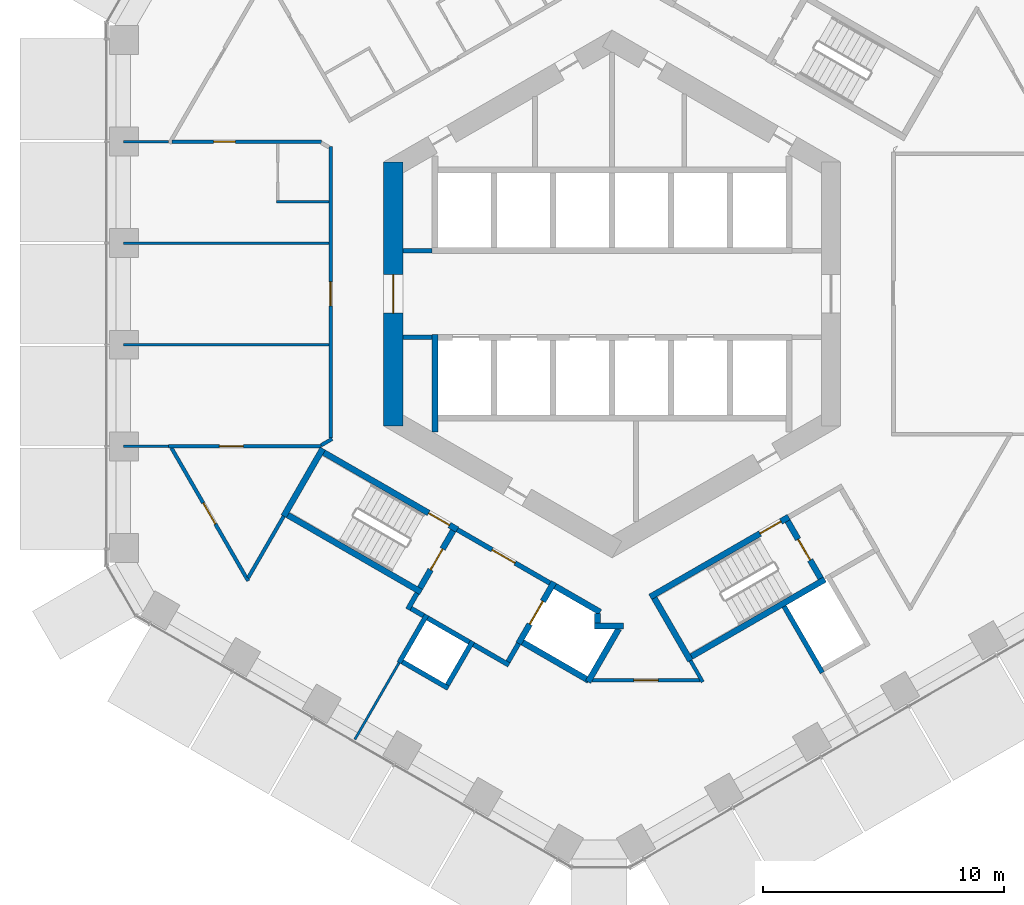
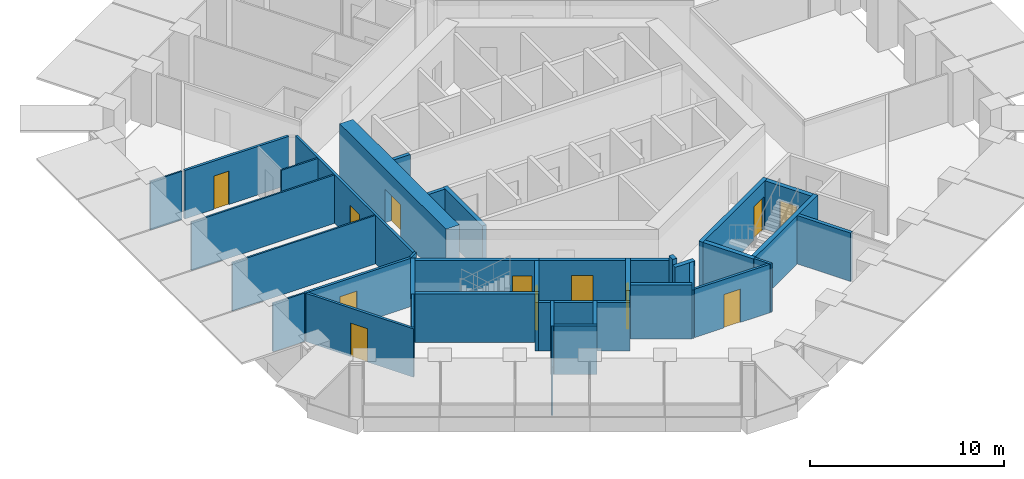
# One storey, part 12 of 19: 42 walls, 12 doors, 12 openings.
"""IFC4 building model written with IfcOpenShell, lengths in metres."""

from ifc_helpers import new_model, si_unit, direction, frame, frame_2d, origin, place, context, subcontext, project, spatial, rectangle, extrude, material, layer, layer_set, type_object, element, fill, save


model = new_model("IFC4")

# Units and contexts
model_context = context("Model", 3, precision=1e-05, world=origin(), true_north=direction((0.0, 1.0)))
body_context = subcontext(model_context, "Body", "Model", "MODEL_VIEW")
ifc_project = project(units=[si_unit("LENGTHUNIT", "METRE"), si_unit("AREAUNIT", "SQUARE_METRE"), si_unit("VOLUMEUNIT", "CUBIC_METRE"), si_unit("PLANEANGLEUNIT", "RADIAN"), si_unit("MASSUNIT", "GRAM", prefix="KILO")], contexts=[model_context])

# Site, building, storey
site_placement = place(None, origin())
site = spatial("IfcSite", under=ifc_project, at=site_placement, CompositionType="ELEMENT")
building_placement = place(site_placement, origin())
building = spatial("IfcBuilding", under=site, at=building_placement, Name="Ayvan Gate Tower", CompositionType="ELEMENT")
storey_placement = place(building_placement, frame((0.0, 0.0, 52.699951171875)))
storey = spatial("IfcBuildingStorey", under=building, at=storey_placement, Name="L13", CompositionType="ELEMENT", Elevation=52.699951171875)

# Wall, opening, door
ifc_material_1 = material(Name="Concrete C70/85", Category="concrete")
ifc_layer_1 = layer(ifc_material_1, 0.800048828125)
ifc_layer_set_1 = layer_set([ifc_layer_1], Name="Concrete C70/85")
wall_type_1 = type_object("IfcWallType", Name="Core wall 800 C70/85", PredefinedType="SHEAR", material=ifc_layer_set_1)
wall_1_placement = place(storey_placement, frame((-9.10009765625, 5.48486328125, 0.0), z_axis=(0.0, 0.0, 1.0), x_axis=(0.0, -1.0, 0.0)))
wall_1 = element("IfcWall", 1, at=wall_1_placement, inside=storey, type_object=wall_type_1, Name="CORE-L13-3", PredefinedType="SHEAR", context=body_context, shape_type="SweptSolid", body=[
    extrude(rectangle(XDim=10.9697265625, YDim=0.800048828125, at=frame_2d((5.48486328125, 0.0))), origin(), (0.0, 0.0, 1.0), 3.400146484375),
])
opening_1_placement = place(wall_1_placement, frame((4.684814453125, 0.0, 0.0)))
opening_1 = element("IfcOpeningElement", 2, at=opening_1_placement, cuts=wall_1, Name="Opening L13-D41", PredefinedType="OPENING", context=body_context, shape_type="SweptSolid", body=[
    extrude(rectangle(XDim=1.60009765625, YDim=2.10009765625, at=frame_2d((0.800048828125, 1.050048828125))), frame((0.0, 0.409912109375, 0.0), z_axis=(0.0, -1.0, 0.0), x_axis=(1.0, 0.0, 0.0)), (0.0, 0.0, 1.0), 0.820068359375),
])
ifc_material_2 = material(Name="Timber door leaf", Category="wood")
door_type_1 = type_object("IfcDoorType", Name="DT-1600", OperationType="NOTDEFINED", PredefinedType="DOOR", material=ifc_material_2)
door_1_placement = place(opening_1_placement, origin())
door_1 = element("IfcDoor", 3, at=door_1_placement, inside=storey, type_object=door_type_1, Name="CD-L13-41", OperationType="SINGLE_SWING_RIGHT", OverallHeight=2.10009765625, OverallWidth=1.60009765625, PredefinedType="DOOR", context=body_context, shape_type="SweptSolid", body=[
    extrude(rectangle(XDim=1.60009765625, YDim=2.10009765625, at=frame_2d((0.800048828125, 1.050048828125))), frame((0.0, 0.02490234375, 0.0), z_axis=(0.0, -1.0, 0.0), x_axis=(1.0, 0.0, 0.0)), (0.0, 0.0, 1.0), 0.050048828125),
])
fill(opening_1, door_1)

ifc_material_3 = material(Name="Plasterboard on steel stud", Category="steel")
ifc_layer_2 = layer(ifc_material_3, 0.14990234375)
ifc_layer_set_2 = layer_set([ifc_layer_2], Name="Plasterboard on steel stud")
wall_type_2 = type_object("IfcWallType", Name="WT-CORR-150", PredefinedType="PARTITIONING", material=ifc_layer_set_2)
wall_2_placement = place(storey_placement, frame((-18.433837890625, -6.3251953125, 0.0), z_axis=(0.0, 0.0, 1.0), x_axis=(1.0, 0.0, 0.0)))
wall_2 = element("IfcWall", 4, at=wall_2_placement, inside=storey, type_object=wall_type_2, Name="IW-L13-000", PredefinedType="PARTITIONING", context=body_context, shape_type="SweptSolid", body=[
    extrude(rectangle(XDim=6.353271484375, YDim=0.14990234375, at=frame_2d((3.1767578125, 0.0))), origin(), (0.0, 0.0, 1.0), 3.050048828125),
])
opening_2_placement = place(wall_2_placement, frame((2.106689453125, 0.0, 0.0)))
opening_2 = element("IfcOpeningElement", 5, at=opening_2_placement, cuts=wall_2, Name="Opening L13-D24", PredefinedType="OPENING", context=body_context, shape_type="SweptSolid", body=[
    extrude(rectangle(XDim=1.0, YDim=2.10009765625, at=frame_2d((0.5, 1.050048828125))), frame((0.0, 0.0849609375, 0.0), z_axis=(0.0, -1.0, 0.0), x_axis=(1.0, 0.0, 0.0)), (0.0, 0.0, 1.0), 0.169921875),
])
door_type_2 = type_object("IfcDoorType", Name="DT-1000", OperationType="NOTDEFINED", PredefinedType="DOOR", material=ifc_material_2)
door_2_placement = place(opening_2_placement, origin())
door_2 = element("IfcDoor", 6, at=door_2_placement, inside=storey, type_object=door_type_2, Name="ID-L13-024", OperationType="SINGLE_SWING_LEFT", OverallHeight=2.10009765625, OverallWidth=1.0, PredefinedType="DOOR", context=body_context, shape_type="SweptSolid", body=[
    extrude(rectangle(XDim=1.0, YDim=2.10009765625, at=frame_2d((0.5, 1.050048828125))), frame((0.0, 0.02490234375, 0.0), z_axis=(0.0, -1.0, 0.0), x_axis=(1.0, 0.0, 0.0)), (0.0, 0.0, 1.0), 0.050048828125),
])
fill(opening_2, door_2)

wall_3_placement = place(storey_placement, frame((-15.124755859375, -11.9267578125, 0.0), z_axis=(0.0, 0.0, 1.0), x_axis=(-0.499995720892, 0.866027874314, 0.0)))
wall_3 = element("IfcWall", 7, at=wall_3_placement, inside=storey, type_object=wall_type_2, Name="IW-L13-005", PredefinedType="PARTITIONING", context=body_context, shape_type="SweptSolid", body=[
    extrude(rectangle(XDim=6.39306640625, YDim=0.14990234375, at=frame_2d((3.196533203125, 0.0))), origin(), (0.0, 0.0, 1.0), 3.050048828125),
])
opening_3_placement = place(wall_3_placement, frame((2.73388671875, 0.0, 0.0)))
opening_3 = element("IfcOpeningElement", 8, at=opening_3_placement, cuts=wall_3, Name="Opening L13-D25", PredefinedType="OPENING", context=body_context, shape_type="SweptSolid", body=[
    extrude(rectangle(XDim=1.0, YDim=2.10009765625, at=frame_2d((0.5, 1.050048828125))), frame((0.0, 0.0849609375, 0.0), z_axis=(0.0, -1.0, 0.0), x_axis=(1.0, 0.0, 0.0)), (0.0, 0.0, 1.0), 0.169921875),
])
door_3_placement = place(opening_3_placement, origin())
door_3 = element("IfcDoor", 9, at=door_3_placement, inside=storey, type_object=door_type_2, Name="ID-L13-025", OperationType="SINGLE_SWING_RIGHT", OverallHeight=2.10009765625, OverallWidth=1.0, PredefinedType="DOOR", context=body_context, shape_type="SweptSolid", body=[
    extrude(rectangle(XDim=1.0, YDim=2.10009765625, at=frame_2d((0.5, 1.050048828125))), frame((0.0, 0.02490234375, 0.0), z_axis=(0.0, -1.0, 0.0), x_axis=(1.0, 0.0, 0.0)), (0.0, 0.0, 1.0), 0.050048828125),
])
fill(opening_3, door_3)

wall_4_placement = place(storey_placement, frame((-18.28369140625, 6.3251953125, 0.0), z_axis=(0.0, 0.0, 1.0), x_axis=(1.0, 0.0, 0.0)))
wall_4 = element("IfcWall", 10, at=wall_4_placement, inside=storey, type_object=wall_type_2, Name="IW-L13-009", PredefinedType="PARTITIONING", context=body_context, shape_type="SweptSolid", body=[
    extrude(rectangle(XDim=6.203125, YDim=0.14990234375, at=frame_2d((3.1015625, 0.0))), origin(), (0.0, 0.0, 1.0), 3.050048828125),
])
opening_4_placement = place(wall_4_placement, frame((1.726806640625, 0.0, 0.0)))
opening_4 = element("IfcOpeningElement", 11, at=opening_4_placement, cuts=wall_4, Name="Opening L13-D21", PredefinedType="OPENING", context=body_context, shape_type="SweptSolid", body=[
    extrude(rectangle(XDim=0.89990234375, YDim=2.10009765625, at=frame_2d((0.449951171875, 1.050048828125))), frame((0.0, 0.0849609375, 0.0), z_axis=(0.0, -1.0, 0.0), x_axis=(1.0, 0.0, 0.0)), (0.0, 0.0, 1.0), 0.169921875),
])
door_type_3 = type_object("IfcDoorType", Name="DT-900", OperationType="NOTDEFINED", PredefinedType="DOOR", material=ifc_material_2)
door_4_placement = place(opening_4_placement, origin())
door_4 = element("IfcDoor", 12, at=door_4_placement, inside=storey, type_object=door_type_3, Name="ID-L13-021", OperationType="SINGLE_SWING_RIGHT", OverallHeight=2.10009765625, OverallWidth=0.89990234375, PredefinedType="DOOR", context=body_context, shape_type="SweptSolid", body=[
    extrude(rectangle(XDim=0.89990234375, YDim=2.10009765625, at=frame_2d((0.449951171875, 1.050048828125))), frame((0.0, 0.02490234375, 0.0), z_axis=(0.0, -1.0, 0.0), x_axis=(1.0, 0.0, 0.0)), (0.0, 0.0, 1.0), 0.050048828125),
])
fill(opening_4, door_4)

# Walls
wall_5_placement = place(storey_placement, frame((-13.647705078125, -9.23876953125, 0.0), z_axis=(0.0, 0.0, 1.0), x_axis=(-0.500032473623, -0.866006654318, 0.0)))
element("IfcWall", 13, at=wall_5_placement, inside=storey, type_object=wall_type_2, Name="IW-L13-011", PredefinedType="PARTITIONING", context=body_context, shape_type="SweptSolid", body=[
    extrude(rectangle(XDim=2.953857421875, YDim=0.14990234375, at=frame_2d((1.47705078125, 0.0))), origin(), (0.0, 0.0, 1.0), 3.050048828125),
])
wall_6_placement = place(storey_placement, frame((-12.0908203125, -6.28759765625, 0.0), z_axis=(0.0, 0.0, 1.0), x_axis=(0.866208757248, 0.499682287925, 0.0)))
element("IfcWall", 14, at=wall_6_placement, inside=storey, type_object=wall_type_2, Name="IW-L13-012", PredefinedType="PARTITIONING", context=body_context, shape_type="SweptSolid", body=[
    extrude(rectangle(XDim=0.526123046875, YDim=0.14990234375, at=frame_2d((0.26318359375, 0.0))), origin(), (0.0, 0.0, 1.0), 3.050048828125),
])

# Wall, opening, door
wall_7_placement = place(storey_placement, frame((-11.699951171875, 6.13720703125, 0.0), z_axis=(0.0, 0.0, 1.0), x_axis=(0.0, -1.0, 0.0)))
wall_7 = element("IfcWall", 15, at=wall_7_placement, inside=storey, type_object=wall_type_2, Name="IW-L13-015", PredefinedType="PARTITIONING", context=body_context, shape_type="SweptSolid", body=[
    extrude(rectangle(XDim=12.12451171875, YDim=0.14990234375, at=frame_2d((6.062255859375, 0.0))), origin(), (0.0, 0.0, 1.0), 3.050048828125),
])
opening_5_placement = place(wall_7_placement, frame((5.63720703125, 0.0, 0.0)))
opening_5 = element("IfcOpeningElement", 16, at=opening_5_placement, cuts=wall_7, Name="Opening L13-D23", PredefinedType="OPENING", context=body_context, shape_type="SweptSolid", body=[
    extrude(rectangle(XDim=1.0, YDim=2.10009765625, at=frame_2d((0.5, 1.050048828125))), frame((0.0, 0.0849609375, 0.0), z_axis=(0.0, -1.0, 0.0), x_axis=(1.0, 0.0, 0.0)), (0.0, 0.0, 1.0), 0.169921875),
])
door_5_placement = place(opening_5_placement, origin())
door_5 = element("IfcDoor", 17, at=door_5_placement, inside=storey, type_object=door_type_2, Name="ID-L13-023", OperationType="SINGLE_SWING_RIGHT", OverallHeight=2.10009765625, OverallWidth=1.0, PredefinedType="DOOR", context=body_context, shape_type="SweptSolid", body=[
    extrude(rectangle(XDim=1.0, YDim=2.10009765625, at=frame_2d((0.5, 1.050048828125))), frame((0.0, 0.02490234375, 0.0), z_axis=(0.0, -1.0, 0.0), x_axis=(1.0, 0.0, 0.0)), (0.0, 0.0, 1.0), 0.050048828125),
])
fill(opening_5, door_5)

# Wall
wall_8_placement = place(storey_placement, frame((3.255615234375, -15.23876953125, 0.0), z_axis=(0.0, 0.0, 1.0), x_axis=(0.50003162148, -0.866007146345, 0.0)))
element("IfcWall", 18, at=wall_8_placement, inside=storey, type_object=wall_type_2, Name="IW-L13-076", PredefinedType="PARTITIONING", context=body_context, shape_type="SweptSolid", body=[
    extrude(rectangle(XDim=1.025390625, YDim=0.14990234375, at=frame_2d((0.5126953125, 0.0))), origin(), (0.0, 0.0, 1.0), 3.050048828125),
])

# Wall, opening, door
wall_9_placement = place(storey_placement, frame((3.65576171875, -16.061767578125, 0.0), z_axis=(0.0, 0.0, 1.0), x_axis=(-1.0, 0.0, 0.0)))
wall_9 = element("IfcWall", 19, at=wall_9_placement, inside=storey, type_object=wall_type_2, Name="IW-L13-078", PredefinedType="PARTITIONING", context=body_context, shape_type="SweptSolid", body=[
    extrude(rectangle(XDim=4.490234375, YDim=0.14990234375, at=frame_2d((2.2451171875, 0.0))), origin(), (0.0, 0.0, 1.0), 3.050048828125),
])
opening_6_placement = place(wall_9_placement, frame((1.7451171875, 0.0, 0.0)))
opening_6 = element("IfcOpeningElement", 20, at=opening_6_placement, cuts=wall_9, Name="Opening L13-D26", PredefinedType="OPENING", context=body_context, shape_type="SweptSolid", body=[
    extrude(rectangle(XDim=1.0, YDim=2.10009765625, at=frame_2d((0.5, 1.050048828125))), frame((0.0, 0.0849609375, 0.0), z_axis=(0.0, -1.0, 0.0), x_axis=(1.0, 0.0, 0.0)), (0.0, 0.0, 1.0), 0.169921875),
])
door_6_placement = place(opening_6_placement, origin())
door_6 = element("IfcDoor", 21, at=door_6_placement, inside=storey, type_object=door_type_2, Name="ID-L13-026", OperationType="SINGLE_SWING_LEFT", OverallHeight=2.10009765625, OverallWidth=1.0, PredefinedType="DOOR", context=body_context, shape_type="SweptSolid", body=[
    extrude(rectangle(XDim=1.0, YDim=2.10009765625, at=frame_2d((0.5, 1.050048828125))), frame((0.0, 0.02490234375, 0.0), z_axis=(0.0, -1.0, 0.0), x_axis=(1.0, 0.0, 0.0)), (0.0, 0.0, 1.0), 0.050048828125),
])
fill(opening_6, door_6)

# Walls
ifc_layer_3 = layer(ifc_material_3, 0.10009765625)
ifc_layer_set_3 = layer_set([ifc_layer_3], Name="Plasterboard on steel stud")
wall_type_3 = type_object("IfcWallType", Name="WT-PART-100", PredefinedType="PARTITIONING", material=ifc_layer_set_3)
wall_10_placement = place(storey_placement, frame((-18.433837890625, 6.3251953125, 0.0), z_axis=(0.0, 0.0, 1.0), x_axis=(-1.0, 0.0, 0.0)))
element("IfcWall", 22, at=wall_10_placement, inside=storey, type_object=wall_type_3, Name="IW-L13-001", PredefinedType="PARTITIONING", context=body_context, shape_type="SweptSolid", body=[
    extrude(rectangle(XDim=1.8759765625, YDim=0.10009765625, at=frame_2d((0.93798828125, 0.0))), origin(), (0.0, 0.0, 1.0), 3.050048828125),
])
wall_11_placement = place(storey_placement, frame((-18.43359375, -6.3251953125, 0.0), z_axis=(0.0, 0.0, 1.0), x_axis=(-1.0, 0.0, 0.0)))
element("IfcWall", 23, at=wall_11_placement, inside=storey, type_object=wall_type_3, Name="IW-L13-003", PredefinedType="PARTITIONING", context=body_context, shape_type="SweptSolid", body=[
    extrude(rectangle(XDim=1.876220703125, YDim=0.10009765625, at=frame_2d((0.93798828125, 0.0))), origin(), (0.0, 0.0, 1.0), 3.050048828125),
])
wall_12_placement = place(storey_placement, frame((-13.949951171875, 3.8251953125, 0.0), z_axis=(0.0, 0.0, 1.0), x_axis=(1.0, 0.0, 0.0)))
element("IfcWall", 24, at=wall_12_placement, inside=storey, type_object=wall_type_3, Name="IW-L13-007", PredefinedType="PARTITIONING", context=body_context, shape_type="SweptSolid", body=[
    extrude(rectangle(XDim=2.175048828125, YDim=0.10009765625, at=frame_2d((1.08740234375, 0.0))), origin(), (0.0, 0.0, 1.0), 3.050048828125),
])
for number, where, z_axis, x_axis, name in (
    (25, (-11.77490234375, -2.1083984375, 0.0), (0.0, 0.0, 1.0), (-1.0, 0.0, 0.0), "IW-L13-014"),
    (26, (-11.77490234375, 2.1083984375, 0.0), (0.0, 0.0, 1.0), (-1.0, 0.0, 0.0), "IW-L13-016"),
):
    element("IfcWall", number, at=place(storey_placement, frame(where, z_axis=z_axis, x_axis=x_axis)), inside=storey, type_object=wall_type_3, Name=name, PredefinedType="PARTITIONING", context=body_context, shape_type="SweptSolid", body=[
        extrude(rectangle(XDim=8.534912109375, YDim=0.10009765625, at=frame_2d((4.267578125, 0.0))), origin(), (0.0, 0.0, 1.0), 3.050048828125),
    ])
wall_13_placement = place(storey_placement, frame((-8.85009765625, -15.32861328125, 0.0), z_axis=(0.0, 0.0, 1.0), x_axis=(-0.499955964762, -0.866050826049, 0.0)))
element("IfcWall", 27, at=wall_13_placement, inside=storey, type_object=wall_type_3, Name="IW-L13-022", PredefinedType="PARTITIONING", context=body_context, shape_type="SweptSolid", body=[
    extrude(rectangle(XDim=3.680419921875, YDim=0.10009765625, at=frame_2d((1.84033203125, 0.0))), origin(), (0.0, 0.0, 1.0), 3.050048828125),
])
ifc_layer_4 = layer(ifc_material_3, 0.199951171875)
ifc_layer_set_4 = layer_set([ifc_layer_4], Name="Plasterboard on steel stud")
wall_type_4 = type_object("IfcWallType", Name="WT-PLUMB-200", PredefinedType="PLUMBINGWALL", material=ifc_layer_set_4)
wall_14_placement = place(storey_placement, frame((-8.85009765625, -15.32861328125, 0.0), z_axis=(0.0, 0.0, 1.0), x_axis=(0.500077740698, 0.865980515519, 0.0)))
element("IfcWall", 28, at=wall_14_placement, inside=storey, type_object=wall_type_4, Name="IW-L13-021", PredefinedType="PLUMBINGWALL", context=body_context, shape_type="SweptSolid", body=[
    extrude(rectangle(XDim=2.300048828125, YDim=0.199951171875, at=frame_2d((1.14990234375, 0.0))), origin(), (0.0, 0.0, 1.0), 3.050048828125),
])
wall_15_placement = place(storey_placement, frame((-6.80810546875, -16.39208984375, 0.0), z_axis=(0.0, 0.0, 1.0), x_axis=(-0.866008176907, 0.50002983664, 0.0)))
element("IfcWall", 29, at=wall_15_placement, inside=storey, type_object=wall_type_4, Name="IW-L13-034", PredefinedType="PLUMBINGWALL", context=body_context, shape_type="SweptSolid", body=[
    extrude(rectangle(XDim=2.199951171875, YDim=0.199951171875, at=frame_2d((1.10009765625, 0.0))), origin(), (0.0, 0.0, 1.0), 3.050048828125),
])
wall_16_placement = place(storey_placement, frame((-5.794677734375, -14.436767578125, 0.0), z_axis=(0.0, 0.0, 1.0), x_axis=(-0.500027713859, -0.866009402589, 0.0)))
element("IfcWall", 30, at=wall_16_placement, inside=storey, type_object=wall_type_4, Name="IW-L13-037", PredefinedType="PLUMBINGWALL", context=body_context, shape_type="SweptSolid", body=[
    extrude(rectangle(XDim=2.10009765625, YDim=0.199951171875, at=frame_2d((1.050048828125, 0.0))), origin(), (0.0, 0.0, 1.0), 3.050048828125),
])
wall_17_placement = place(storey_placement, frame((-5.931396484375, -14.473388671875, 0.0), z_axis=(0.0, 0.0, 1.0), x_axis=(-0.866041268327, 0.499972520799, 0.0)))
element("IfcWall", 31, at=wall_17_placement, inside=storey, type_object=wall_type_4, Name="IW-L13-038", PredefinedType="PLUMBINGWALL", context=body_context, shape_type="SweptSolid", body=[
    extrude(rectangle(XDim=2.0, YDim=0.199951171875, at=frame_2d((1.0, 0.0))), origin(), (0.0, 0.0, 1.0), 3.050048828125),
])
wall_18_placement = place(storey_placement, frame((8.740234375, -15.738525390625, 0.0), z_axis=(0.0, 0.0, 1.0), x_axis=(-0.500017526161, 0.866015284814, 0.0)))
element("IfcWall", 32, at=wall_18_placement, inside=storey, type_object=wall_type_4, Name="IW-L13-095", PredefinedType="PLUMBINGWALL", context=body_context, shape_type="SweptSolid", body=[
    extrude(rectangle(XDim=3.17529296875, YDim=0.199951171875, at=frame_2d((1.587646484375, 0.0))), origin(), (0.0, 0.0, 1.0), 3.050048828125),
])
ifc_layer_5 = layer(ifc_material_3, 0.199951171875)
ifc_layer_set_5 = layer_set([ifc_layer_5], Name="Plasterboard on steel stud")
wall_type_5 = type_object("IfcWallType", Name="WT-RATED-200", PredefinedType="PARTITIONING", material=ifc_layer_set_5)
wall_19_placement = place(storey_placement, frame((-8.699951171875, 1.800048828125, 0.0), z_axis=(0.0, 0.0, 1.0), x_axis=(1.0, 0.0, 0.0)))
element("IfcWall", 33, at=wall_19_placement, inside=storey, type_object=wall_type_5, Name="IW-L13-023", PredefinedType="PARTITIONING", context=body_context, shape_type="SweptSolid", body=[
    extrude(rectangle(XDim=1.22509765625, YDim=0.199951171875, at=frame_2d((0.612548828125, 0.0))), origin(), (0.0, 0.0, 1.0), 3.050048828125),
])
wall_20_placement = place(storey_placement, frame((-8.492919921875, -13.110107421875, 0.0), z_axis=(0.0, 0.0, 1.0), x_axis=(0.500067724834, 0.865986299303, 0.0)))
element("IfcWall", 34, at=wall_20_placement, inside=storey, type_object=wall_type_5, Name="IW-L13-024", PredefinedType="PARTITIONING", context=body_context, shape_type="SweptSolid", body=[
    extrude(rectangle(XDim=0.775390625, YDim=0.199951171875, at=frame_2d((0.3876953125, 0.0))), origin(), (0.0, 0.0, 1.0), 3.050048828125),
])
wall_21_placement = place(storey_placement, frame((-7.83642578125, -13.373291015625, 0.0), z_axis=(0.0, 0.0, 1.0), x_axis=(-0.866232998003, 0.499640263761, 0.0)))
element("IfcWall", 35, at=wall_21_placement, inside=storey, type_object=wall_type_5, Name="IW-L13-026", PredefinedType="PARTITIONING", context=body_context, shape_type="SweptSolid", body=[
    extrude(rectangle(XDim=0.60009765625, YDim=0.199951171875, at=frame_2d((0.300048828125, 0.0))), origin(), (0.0, 0.0, 1.0), 3.050048828125),
])
wall_22_placement = place(storey_placement, frame((-7.474853515625, -1.800048828125, 0.0), z_axis=(0.0, 0.0, 1.0), x_axis=(-1.0, 0.0, 0.0)))
element("IfcWall", 36, at=wall_22_placement, inside=storey, type_object=wall_type_5, Name="IW-L13-032", PredefinedType="PARTITIONING", context=body_context, shape_type="SweptSolid", body=[
    extrude(rectangle(XDim=1.22509765625, YDim=0.199951171875, at=frame_2d((0.612548828125, 0.0))), origin(), (0.0, 0.0, 1.0), 3.050048828125),
])

# Wall, opening, door
wall_23_placement = place(storey_placement, frame((-6.4345703125, -9.794921875, 0.0), z_axis=(0.0, 0.0, 1.0), x_axis=(0.866012907634, -0.500021643343, 0.0)))
wall_23 = element("IfcWall", 37, at=wall_23_placement, inside=storey, type_object=wall_type_5, Name="IW-L13-036", PredefinedType="PARTITIONING", context=body_context, shape_type="SweptSolid", body=[
    extrude(rectangle(XDim=4.449951171875, YDim=0.199951171875, at=frame_2d((2.22509765625, 0.0))), origin(), (0.0, 0.0, 1.0), 3.050048828125),
])
opening_7_placement = place(wall_23_placement, frame((1.675048828125, 0.0, 0.0)))
opening_7 = element("IfcOpeningElement", 38, at=opening_7_placement, cuts=wall_23, Name="Opening L13-D12", PredefinedType="OPENING", context=body_context, shape_type="SweptSolid", body=[
    extrude(rectangle(XDim=1.10009765625, YDim=2.10009765625, at=frame_2d((0.550048828125, 1.050048828125))), frame((0.0, 0.10986328125, 0.0), z_axis=(0.0, -1.0, 0.0), x_axis=(1.0, 0.0, 0.0)), (0.0, 0.0, 1.0), 0.219970703125),
])
door_type_4 = type_object("IfcDoorType", Name="DT-1100", OperationType="NOTDEFINED", PredefinedType="DOOR", material=ifc_material_2)
door_7_placement = place(opening_7_placement, origin())
door_7 = element("IfcDoor", 39, at=door_7_placement, inside=storey, type_object=door_type_4, Name="ID-L13-012", OperationType="SINGLE_SWING_LEFT", OverallHeight=2.10009765625, OverallWidth=1.10009765625, PredefinedType="DOOR", context=body_context, shape_type="SweptSolid", body=[
    extrude(rectangle(XDim=1.10009765625, YDim=2.10009765625, at=frame_2d((0.550048828125, 1.050048828125))), frame((0.0, 0.02490234375, 0.0), z_axis=(0.0, -1.0, 0.0), x_axis=(1.0, 0.0, 0.0)), (0.0, 0.0, 1.0), 0.050048828125),
])
fill(opening_7, door_7)

# Walls
wall_24_placement = place(storey_placement, frame((-4.285888671875, -15.42333984375, 0.0), z_axis=(0.0, 0.0, 1.0), x_axis=(-0.866025371046, 0.500000056704, 0.0)))
element("IfcWall", 40, at=wall_24_placement, inside=storey, type_object=wall_type_5, Name="IW-L13-045", PredefinedType="PARTITIONING", context=body_context, shape_type="SweptSolid", body=[
    extrude(rectangle(XDim=1.7001953125, YDim=0.199951171875, at=frame_2d((0.85009765625, 0.0))), origin(), (0.0, 0.0, 1.0), 3.050048828125),
])
wall_25_placement = place(storey_placement, frame((-3.885009765625, -14.52880859375, 0.0), z_axis=(0.0, 0.0, 1.0), x_axis=(-0.499859285417, -0.866106630146, 0.0)))
element("IfcWall", 41, at=wall_25_placement, inside=storey, type_object=wall_type_5, Name="IW-L13-046", PredefinedType="PARTITIONING", context=body_context, shape_type="SweptSolid", body=[
    extrude(rectangle(XDim=0.875244140625, YDim=0.199951171875, at=frame_2d((0.4375, 0.0))), origin(), (0.0, 0.0, 1.0), 3.050048828125),
])
ifc_material_4 = material(Name="Concrete C50/60", Category="concrete")
ifc_layer_6 = layer(ifc_material_4, 0.25)
ifc_layer_set_6 = layer_set([ifc_layer_6], Name="Concrete C50/60")
wall_type_6 = type_object("IfcWallType", Name="WT-RC-250", PredefinedType="SHEAR", material=ifc_layer_set_6)
wall_26_placement = place(storey_placement, frame((-13.64794921875, -9.23876953125, 0.0), z_axis=(0.0, 0.0, 1.0), x_axis=(0.500017246033, 0.866015446554, 0.0)))
element("IfcWall", 42, at=wall_26_placement, inside=storey, type_object=wall_type_6, Name="IW-L13-010", PredefinedType="SHEAR", context=body_context, shape_type="SweptSolid", body=[
    extrude(rectangle(XDim=3.25, YDim=0.25, at=frame_2d((1.625, 0.0))), origin(), (0.0, 0.0, 1.0), 3.050048828125),
])

# Wall, opening, door
wall_27_placement = place(storey_placement, frame((-11.97705078125, -6.594970703125, 0.0), z_axis=(0.0, 0.0, 1.0), x_axis=(0.866025499775, -0.499999833739, 0.0)))
wall_27 = element("IfcWall", 43, at=wall_27_placement, inside=storey, type_object=wall_type_6, Name="IW-L13-013", PredefinedType="SHEAR", context=body_context, shape_type="SweptSolid", body=[
    extrude(rectangle(XDim=6.39990234375, YDim=0.25, at=frame_2d((3.199951171875, 0.0))), origin(), (0.0, 0.0, 1.0), 3.050048828125),
])
opening_8_placement = place(wall_27_placement, frame((5.02490234375, 0.0, 0.0)))
opening_8 = element("IfcOpeningElement", 44, at=opening_8_placement, cuts=wall_27, Name="Opening L13-D10", PredefinedType="OPENING", context=body_context, shape_type="SweptSolid", body=[
    extrude(rectangle(XDim=1.0, YDim=2.10009765625, at=frame_2d((0.5, 1.050048828125))), frame((0.0, 0.135009765625, 0.0), z_axis=(0.0, -1.0, 0.0), x_axis=(1.0, 0.0, 0.0)), (0.0, 0.0, 1.0), 0.27001953125),
])
door_8_placement = place(opening_8_placement, origin())
door_8 = element("IfcDoor", 45, at=door_8_placement, inside=storey, type_object=door_type_2, Name="ID-L13-010", OperationType="SINGLE_SWING_LEFT", OverallHeight=2.10009765625, OverallWidth=1.0, PredefinedType="DOOR", context=body_context, shape_type="SweptSolid", body=[
    extrude(rectangle(XDim=1.0, YDim=2.10009765625, at=frame_2d((0.5, 1.050048828125))), frame((0.0, 0.02490234375, 0.0), z_axis=(0.0, -1.0, 0.0), x_axis=(1.0, 0.0, 0.0)), (0.0, 0.0, 1.0), 0.050048828125),
])
fill(opening_8, door_8)

# Walls
wall_28_placement = place(storey_placement, frame((-7.9345703125, -12.39306640625, 0.0), z_axis=(0.0, 0.0, 1.0), x_axis=(-0.866025499775, 0.499999833739, 0.0)))
element("IfcWall", 46, at=wall_28_placement, inside=storey, type_object=wall_type_6, Name="IW-L13-025", PredefinedType="SHEAR", context=body_context, shape_type="SweptSolid", body=[
    extrude(rectangle(XDim=6.39990234375, YDim=0.25, at=frame_2d((3.199951171875, 0.0))), origin(), (0.0, 0.0, 1.0), 3.050048828125),
])
wall_29_placement = place(storey_placement, frame((-7.35009765625, -5.730224609375, 0.0), z_axis=(0.0, 0.0, 1.0), x_axis=(0.0, 1.0, 0.0)))
element("IfcWall", 47, at=wall_29_placement, inside=storey, type_object=wall_type_6, Name="IW-L13-029", PredefinedType="SHEAR", context=body_context, shape_type="SweptSolid", body=[
    extrude(rectangle(XDim=4.05517578125, YDim=0.25, at=frame_2d((2.027587890625, 0.0))), origin(), (0.0, 0.0, 1.0), 3.050048828125),
])

# Wall, opening, door
wall_30_placement = place(storey_placement, frame((-6.605224609375, -9.8408203125, 0.0), z_axis=(0.0, 0.0, 1.0), x_axis=(-0.499996545922, -0.866027397988, 0.0)))
wall_30 = element("IfcWall", 48, at=wall_30_placement, inside=storey, type_object=wall_type_6, Name="IW-L13-035", PredefinedType="SHEAR", context=body_context, shape_type="SweptSolid", body=[
    extrude(rectangle(XDim=2.75, YDim=0.25, at=frame_2d((1.375, 0.0))), origin(), (0.0, 0.0, 1.0), 3.050048828125),
])
opening_9_placement = place(wall_30_placement, frame((0.875, 0.0, 0.0)))
opening_9 = element("IfcOpeningElement", 49, at=opening_9_placement, cuts=wall_30, Name="Opening L13-D11", PredefinedType="OPENING", context=body_context, shape_type="SweptSolid", body=[
    extrude(rectangle(XDim=1.0, YDim=2.10009765625, at=frame_2d((0.5, 1.050048828125))), frame((0.0, 0.135009765625, 0.0), z_axis=(0.0, -1.0, 0.0), x_axis=(1.0, 0.0, 0.0)), (0.0, 0.0, 1.0), 0.27001953125),
])
door_9_placement = place(opening_9_placement, origin())
door_9 = element("IfcDoor", 50, at=door_9_placement, inside=storey, type_object=door_type_2, Name="ID-L13-011", OperationType="SINGLE_SWING_RIGHT", OverallHeight=2.10009765625, OverallWidth=1.0, PredefinedType="DOOR", context=body_context, shape_type="SweptSolid", body=[
    extrude(rectangle(XDim=1.0, YDim=2.10009765625, at=frame_2d((0.5, 1.050048828125))), frame((0.0, 0.02490234375, 0.0), z_axis=(0.0, -1.0, 0.0), x_axis=(1.0, 0.0, 0.0)), (0.0, 0.0, 1.0), 0.050048828125),
])
fill(opening_9, door_9)

wall_31_placement = place(storey_placement, frame((-2.409912109375, -11.97412109375, 0.0), z_axis=(0.0, 0.0, 1.0), x_axis=(-0.500001826776, -0.866024349092, 0.0)))
wall_31 = element("IfcWall", 51, at=wall_31_placement, inside=storey, type_object=wall_type_6, Name="IW-L13-051", PredefinedType="SHEAR", context=body_context, shape_type="SweptSolid", body=[
    extrude(rectangle(XDim=2.9501953125, YDim=0.25, at=frame_2d((1.47509765625, 0.0))), origin(), (0.0, 0.0, 1.0), 3.050048828125),
])
opening_10_placement = place(wall_31_placement, frame((0.925048828125, 0.0, 0.0)))
opening_10 = element("IfcOpeningElement", 52, at=opening_10_placement, cuts=wall_31, Name="Opening L13-LD-FF2", PredefinedType="OPENING", context=body_context, shape_type="SweptSolid", body=[
    extrude(rectangle(XDim=1.10009765625, YDim=2.10009765625, at=frame_2d((0.550048828125, 1.050048828125))), frame((0.0, 0.135009765625, 0.0), z_axis=(0.0, -1.0, 0.0), x_axis=(1.0, 0.0, 0.0)), (0.0, 0.0, 1.0), 0.27001953125),
])
ifc_material_5 = material(Name="Stainless steel landing door", Category="steel")
door_type_5 = type_object("IfcDoorType", Name="DT-LANDING-1100", OperationType="SLIDING_TO_LEFT", PredefinedType="DOOR", material=ifc_material_5)
door_10_placement = place(opening_10_placement, origin())
door_10 = element("IfcDoor", 53, at=door_10_placement, inside=storey, type_object=door_type_5, Name="ID-L13-013", OperationType="SLIDING_TO_LEFT", OverallHeight=2.10009765625, OverallWidth=1.10009765625, PredefinedType="DOOR", context=body_context, shape_type="SweptSolid", body=[
    extrude(rectangle(XDim=1.10009765625, YDim=2.10009765625, at=frame_2d((0.550048828125, 1.050048828125))), frame((0.0, 0.02490234375, 0.0), z_axis=(0.0, -1.0, 0.0), x_axis=(1.0, 0.0, 0.0)), (0.0, 0.0, 1.0), 0.050048828125),
])
fill(opening_10, door_10)

# Walls
wall_32_placement = place(storey_placement, frame((-2.3642578125, -12.14501953125, 0.0), z_axis=(0.0, 0.0, 1.0), x_axis=(0.86603892542, -0.499976579108, 0.0)))
element("IfcWall", 54, at=wall_32_placement, inside=storey, type_object=wall_type_6, Name="IW-L13-052", PredefinedType="SHEAR", context=body_context, shape_type="SweptSolid", body=[
    extrude(rectangle(XDim=2.162109375, YDim=0.25, at=frame_2d((1.0810546875, 0.0))), origin(), (0.0, 0.0, 1.0), 3.050048828125),
])
wall_33_placement = place(storey_placement, frame((-0.964599609375, -16.07080078125, 0.0), z_axis=(0.0, 0.0, 1.0), x_axis=(-0.866029357279, 0.499993152284, 0.0)))
element("IfcWall", 55, at=wall_33_placement, inside=storey, type_object=wall_type_6, Name="IW-L13-057", PredefinedType="SHEAR", context=body_context, shape_type="SweptSolid", body=[
    extrude(rectangle(XDim=3.1748046875, YDim=0.25, at=frame_2d((1.58740234375, 0.0))), origin(), (0.0, 0.0, 1.0), 3.400146484375),
])
wall_34_placement = place(storey_placement, frame((-0.72509765625, -13.81005859375, 0.0), z_axis=(0.0, 0.0, 1.0), x_axis=(1.0, 0.0, 0.0)))
element("IfcWall", 56, at=wall_34_placement, inside=storey, type_object=wall_type_6, Name="IW-L13-058", PredefinedType="SHEAR", context=body_context, shape_type="SweptSolid", body=[
    extrude(rectangle(XDim=1.190673828125, YDim=0.25, at=frame_2d((0.59521484375, 0.0))), origin(), (0.0, 0.0, 1.0), 3.050048828125),
])
wall_35_placement = place(storey_placement, frame((-0.60009765625, -13.28857421875, 0.0), z_axis=(0.0, 0.0, 1.0), x_axis=(0.0, -1.0, 0.0)))
element("IfcWall", 57, at=wall_35_placement, inside=storey, type_object=wall_type_6, Name="IW-L13-059", PredefinedType="SHEAR", context=body_context, shape_type="SweptSolid", body=[
    extrude(rectangle(XDim=0.396484375, YDim=0.25, at=frame_2d((0.1982421875, 0.0))), origin(), (0.0, 0.0, 1.0), 3.400146484375),
])
wall_36_placement = place(storey_placement, frame((0.278076171875, -13.918212890625, 0.0), z_axis=(0.0, 0.0, 1.0), x_axis=(-0.500020783669, -0.866013403995, 0.0)))
element("IfcWall", 58, at=wall_36_placement, inside=storey, type_object=wall_type_6, Name="IW-L13-064", PredefinedType="SHEAR", context=body_context, shape_type="SweptSolid", body=[
    extrude(rectangle(XDim=2.55029296875, YDim=0.25, at=frame_2d((1.275146484375, 0.0))), origin(), (0.0, 0.0, 1.0), 3.050048828125),
])

# Wall, opening, door
wall_37_placement = place(storey_placement, frame((1.584716796875, -12.594970703125, 0.0), z_axis=(0.0, 0.0, 1.0), x_axis=(0.866036417653, 0.499980922934, 0.0)))
wall_37 = element("IfcWall", 59, at=wall_37_placement, inside=storey, type_object=wall_type_6, Name="IW-L13-070", PredefinedType="SHEAR", context=body_context, shape_type="SweptSolid", body=[
    extrude(rectangle(XDim=6.650146484375, YDim=0.25, at=frame_2d((3.3251953125, 0.0))), origin(), (0.0, 0.0, 1.0), 3.050048828125),
])
opening_11_placement = place(wall_37_placement, frame((5.27490234375, 0.0, 0.0)))
opening_11 = element("IfcOpeningElement", 60, at=opening_11_placement, cuts=wall_37, Name="Opening L13-D14", PredefinedType="OPENING", context=body_context, shape_type="SweptSolid", body=[
    extrude(rectangle(XDim=1.0, YDim=2.10009765625, at=frame_2d((0.5, 1.050048828125))), frame((0.0, 0.135009765625, 0.0), z_axis=(0.0, -1.0, 0.0), x_axis=(1.0, 0.0, 0.0)), (0.0, 0.0, 1.0), 0.27001953125),
])
door_11_placement = place(opening_11_placement, origin())
door_11 = element("IfcDoor", 61, at=door_11_placement, inside=storey, type_object=door_type_2, Name="ID-L13-014", OperationType="SINGLE_SWING_LEFT", OverallHeight=2.10009765625, OverallWidth=1.0, PredefinedType="DOOR", context=body_context, shape_type="SweptSolid", body=[
    extrude(rectangle(XDim=1.0, YDim=2.10009765625, at=frame_2d((0.5, 1.050048828125))), frame((0.0, 0.02490234375, 0.0), z_axis=(0.0, -1.0, 0.0), x_axis=(1.0, 0.0, 0.0)), (0.0, 0.0, 1.0), 0.050048828125),
])
fill(opening_11, door_11)

# Walls
wall_38_placement = place(storey_placement, frame((3.255615234375, -15.23876953125, 0.0), z_axis=(0.0, 0.0, 1.0), x_axis=(-0.50002537861, 0.866010750942, 0.0)))
element("IfcWall", 62, at=wall_38_placement, inside=storey, type_object=wall_type_6, Name="IW-L13-077", PredefinedType="SHEAR", context=body_context, shape_type="SweptSolid", body=[
    extrude(rectangle(XDim=2.999755859375, YDim=0.25, at=frame_2d((1.5, 0.0))), origin(), (0.0, 0.0, 1.0), 3.050048828125),
])
wall_39_placement = place(storey_placement, frame((3.30126953125, -15.068115234375, 0.0), z_axis=(0.0, 0.0, 1.0), x_axis=(0.866035036182, 0.499983315828, 0.0)))
element("IfcWall", 63, at=wall_39_placement, inside=storey, type_object=wall_type_6, Name="IW-L13-085", PredefinedType="SHEAR", context=body_context, shape_type="SweptSolid", body=[
    extrude(rectangle(XDim=6.400146484375, YDim=0.25, at=frame_2d((3.2001953125, 0.0))), origin(), (0.0, 0.0, 1.0), 3.050048828125),
])

# Wall, opening, door
wall_40_placement = place(storey_placement, frame((7.298095703125, -9.44091796875, 0.0), z_axis=(0.0, 0.0, 1.0), x_axis=(0.500034990121, -0.866005201286, 0.0)))
wall_40 = element("IfcWall", 64, at=wall_40_placement, inside=storey, type_object=wall_type_6, Name="IW-L13-086", PredefinedType="SHEAR", context=body_context, shape_type="SweptSolid", body=[
    extrude(rectangle(XDim=2.749755859375, YDim=0.25, at=frame_2d((1.375, 0.0))), origin(), (0.0, 0.0, 1.0), 3.050048828125),
])
opening_12_placement = place(wall_40_placement, frame((0.875, 0.0, 0.0)))
opening_12 = element("IfcOpeningElement", 65, at=opening_12_placement, cuts=wall_40, Name="Opening L13-D16", PredefinedType="OPENING", context=body_context, shape_type="SweptSolid", body=[
    extrude(rectangle(XDim=1.0, YDim=2.10009765625, at=frame_2d((0.5, 1.050048828125))), frame((0.0, 0.135009765625, 0.0), z_axis=(0.0, -1.0, 0.0), x_axis=(1.0, 0.0, 0.0)), (0.0, 0.0, 1.0), 0.27001953125),
])
door_12_placement = place(opening_12_placement, origin())
door_12 = element("IfcDoor", 66, at=door_12_placement, inside=storey, type_object=door_type_2, Name="ID-L13-016", OperationType="SINGLE_SWING_LEFT", OverallHeight=2.10009765625, OverallWidth=1.0, PredefinedType="DOOR", context=body_context, shape_type="SweptSolid", body=[
    extrude(rectangle(XDim=1.0, YDim=2.10009765625, at=frame_2d((0.5, 1.050048828125))), frame((0.0, 0.02490234375, 0.0), z_axis=(0.0, -1.0, 0.0), x_axis=(1.0, 0.0, 0.0)), (0.0, 0.0, 1.0), 0.050048828125),
])
fill(opening_12, door_12)

save(model, "model.ifc")
